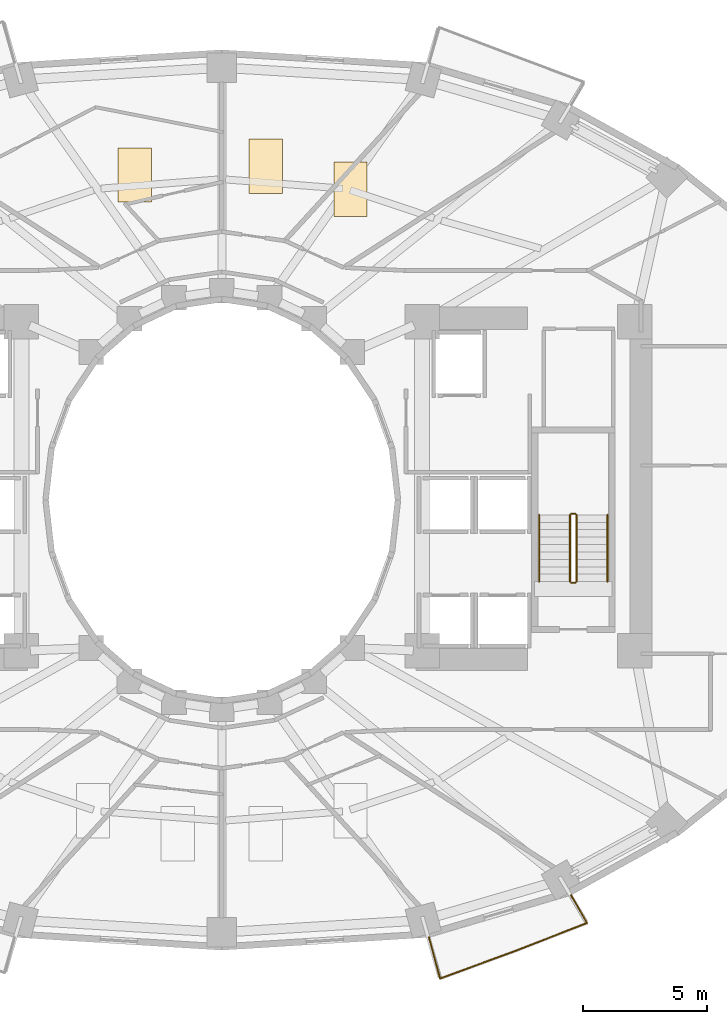
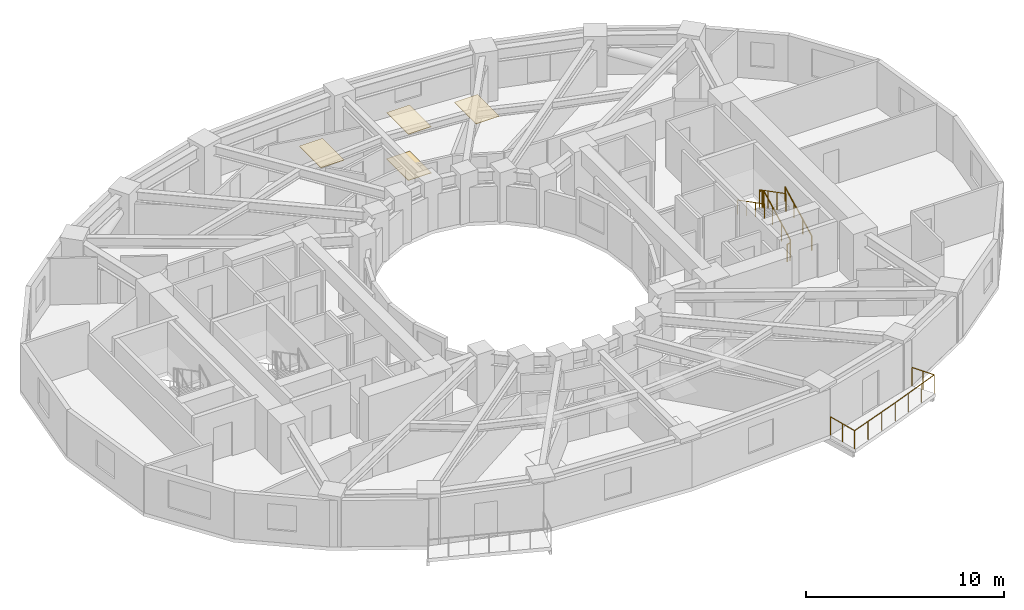
# One storey, part 10 of 11: 7 railings, 4 coverings.
"""IFC4 building model written with IfcOpenShell, lengths in metres."""

import ifcopenshell
import ifcopenshell.guid

model = None  # the IFC model being written
_history = None  # IfcOwnerHistory: only IFC2X3 demands one
_inside = {}  # id of a spatial element -> (the spatial element, [elements in it])
_under = {}  # id of a project, library or spatial element -> (it, [spatial elements below it])
_declared = {}  # id of a project -> (the project, [libraries it declares])
_typed = {}  # id of a type object -> (the type object, [elements of that type])
_made_of = {}  # id of a material, layer set ... -> (it, [elements and type objects made of it])


def new_model(schema):
    """Start an empty IFC model of exactly this schema.

    Asked for "IFC4X3", IfcOpenShell would pick the latest addendum, in which some entities
    have other attributes; the version numbers below select the first issue.
    IFC2X3 requires an IfcOwnerHistory on every rooted entity: one is made here for all.
    """
    global model, _history
    if schema == "IFC4X3":
        model = ifcopenshell.file(schema_version=(4, 3, 0, 0))
    else:
        model = ifcopenshell.file(schema=schema)
    _inside.clear()
    _under.clear()
    _declared.clear()
    _typed.clear()
    _made_of.clear()
    _history = None
    if model.schema == "IFC2X3":
        org = make("IfcOrganization", Name="unknown")
        user = make(
            "IfcPersonAndOrganization",
            ThePerson=make("IfcPerson", FamilyName="unknown"),
            TheOrganization=org,
        )
        app = make(
            "IfcApplication",
            ApplicationDeveloper=org,
            Version="unknown",
            ApplicationFullName="unknown",
            ApplicationIdentifier="unknown",
        )
        _history = make(
            "IfcOwnerHistory",
            OwningUser=user,
            OwningApplication=app,
            ChangeAction="ADDED",
            CreationDate=0,
        )
    return model


def make(cls, **values):
    """One entity of the class cls with the attributes given. An attribute that is None is left unset."""
    return model.create_entity(
        cls, **{name: value for name, value in values.items() if value is not None}
    )


def rooted(cls, **values):
    """An entity with a GlobalId (a new one), such as an element, a storey or a relation."""
    return make(cls, GlobalId=ifcopenshell.guid.new(), OwnerHistory=_history, **values)


def si_unit(unit_type, name, prefix=None):
    """IfcSIUnit, for example si_unit("LENGTHUNIT", "METRE", prefix="MILLI")."""
    return make("IfcSIUnit", UnitType=unit_type, Prefix=prefix, Name=name)


def assignment(units):
    """IfcUnitAssignment: the units of a project."""
    return None if units is None else make("IfcUnitAssignment", Units=units)


def point(xyz):
    """IfcCartesianPoint."""
    return None if xyz is None else make("IfcCartesianPoint", Coordinates=xyz)


def direction(xyz):
    """IfcDirection."""
    return None if xyz is None else make("IfcDirection", DirectionRatios=xyz)


def frame(location, z_axis=None, x_axis=None):
    """IfcAxis2Placement3D, a coordinate frame: its origin and axes. An axis left out is left unset."""
    return make(
        "IfcAxis2Placement3D",
        Location=point(location),
        Axis=direction(z_axis),
        RefDirection=direction(x_axis),
    )


def frame_2d(location, x_axis=None):
    """IfcAxis2Placement2D, a coordinate frame in the plane: its origin and x axis."""
    return make(
        "IfcAxis2Placement2D", Location=point(location), RefDirection=direction(x_axis)
    )


def origin():
    """The frame at (0, 0, 0) with its axes left unset."""
    return frame((0.0, 0.0, 0.0))


def origin_2d():
    """The frame at (0, 0) in the plane with its x axis left unset."""
    return frame_2d((0.0, 0.0))


def place(relative_to, where):
    """IfcLocalPlacement: puts the frame where relative to a parent placement (None: the world)."""
    return make(
        "IfcLocalPlacement", PlacementRelTo=relative_to, RelativePlacement=where
    )


def context(
    kind, dimensions, precision=None, world=None, true_north=None, identifier=None
):
    """IfcGeometricRepresentationContext, for example the 3D "Model" context."""
    return make(
        "IfcGeometricRepresentationContext",
        ContextIdentifier=identifier,
        ContextType=kind,
        CoordinateSpaceDimension=dimensions,
        Precision=precision,
        WorldCoordinateSystem=world,
        TrueNorth=true_north,
    )


def subcontext(parent, identifier, kind, view, scale=None):
    """IfcGeometricRepresentationSubContext, for example "Body" below "Model"."""
    return make(
        "IfcGeometricRepresentationSubContext",
        ContextIdentifier=identifier,
        ContextType=kind,
        ParentContext=parent,
        TargetScale=scale,
        TargetView=view,
    )


def project(units=None, contexts=None):
    """IfcProject with its units and contexts."""
    return rooted(
        "IfcProject",
        Name="project",
        RepresentationContexts=contexts,
        UnitsInContext=assignment(units),
    )


def spatial(cls, under=None, at=None, **own):
    """A site, building, storey or space (cls), placed at a placement, below another one or the project."""
    s = rooted(cls, ObjectPlacement=at, **own)
    if under is not None:
        _under.setdefault(under.id(), (under, []))[1].append(s)
    return s


def polyline(points):
    """IfcPolyline through the points."""
    return make("IfcPolyline", Points=[point(p) for p in points])


def profile(cls, at=None, kind="AREA", **sizes):
    """A parametric profile (cls). Its sizes go by their IFC names, for example OverallWidth=200.0."""
    return make(cls, ProfileType=kind, Position=at, **sizes)


def circle(**sizes):
    """IfcCircleProfileDef."""
    return profile("IfcCircleProfileDef", **sizes)


def outline(outer, holes=None, kind="AREA"):
    """IfcArbitraryClosedProfileDef: a profile drawn as a closed curve; with holes, ...WithVoids."""
    if holes is None:
        return make("IfcArbitraryClosedProfileDef", ProfileType=kind, OuterCurve=outer)
    return make(
        "IfcArbitraryProfileDefWithVoids",
        ProfileType=kind,
        OuterCurve=outer,
        InnerCurves=holes,
    )


def extrude(swept, where, along, depth):
    """IfcExtrudedAreaSolid: the profile swept, set in the frame where, extruded along a direction by depth."""
    return make(
        "IfcExtrudedAreaSolid",
        SweptArea=swept,
        Position=where,
        ExtrudedDirection=direction(along),
        Depth=depth,
    )


def shape(context_of_items, identifier, shape_type, items):
    """IfcShapeRepresentation: the items that make up one representation, for example the "Body"."""
    return make(
        "IfcShapeRepresentation",
        ContextOfItems=context_of_items,
        RepresentationIdentifier=identifier,
        RepresentationType=shape_type,
        Items=items,
    )


def material(Name=None, Category=None):
    """IfcMaterial."""
    return make("IfcMaterial", Name=Name, Category=Category)


def layer(
    of_material, thickness, ventilated=None, Name=None, Category=None, Priority=None
):
    """IfcMaterialLayer: one layer of a wall or slab, of a material (None: an air gap)."""
    return make(
        "IfcMaterialLayer",
        Material=of_material,
        LayerThickness=thickness,
        IsVentilated=ventilated,
        Name=Name,
        Category=Category,
        Priority=Priority,
    )


def layer_set(layers, Name=None):
    """IfcMaterialLayerSet."""
    return make("IfcMaterialLayerSet", MaterialLayers=layers, LayerSetName=Name)


def made_of(thing, what):
    """Note that an element or type object is made of a material, layer set ...; save() writes the relation."""
    if what is not None:
        _made_of.setdefault(what.id(), (what, []))[1].append(thing)
    return thing


def type_object(cls, material=None, **own):
    """A type object (cls), such as IfcWallType, which elements share."""
    return made_of(rooted(cls, **own), material)


def element(
    cls,
    number,
    at=None,
    inside=None,
    cuts=None,
    type_object=None,
    material=None,
    context=None,
    identifier="Body",
    shape_type=None,
    held_by="IfcProductDefinitionShape",
    body=None,
    shapes=None,
    **own,
):
    """One element of the class cls, such as IfcWall. Its Tag is "e" and its number.

    at: its placement. inside: the storey or other place that contains it. cuts: it is an
    opening in that element (IfcRelVoidsElement). A single representation is given by context,
    identifier, shape_type and body (its items); several are given by shapes. held_by: the class
    of the entity that holds the representations. save() writes the other relations.
    """
    e = rooted(cls, Tag="e%d" % number, ObjectPlacement=at, **own)
    if body is not None:
        shapes = [shape(context, identifier, shape_type, body)]
    if shapes is not None:
        e.Representation = make(held_by, Representations=shapes)
    if inside is not None:
        _inside.setdefault(inside.id(), (inside, []))[1].append(e)
    if cuts is not None:
        rooted(
            "IfcRelVoidsElement", RelatingBuildingElement=cuts, RelatedOpeningElement=e
        )
    if type_object is not None:
        _typed.setdefault(type_object.id(), (type_object, []))[1].append(e)
    return made_of(e, material)


def aggregate(whole, parts):
    """IfcRelAggregates: a whole, such as a stair, and the parts it consists of."""
    return rooted("IfcRelAggregates", RelatingObject=whole, RelatedObjects=parts)


def save(model, path):
    """Write the relations noted so far, then the file.

    IfcRelAggregates (storeys below a building ...), IfcRelContainedInSpatialStructure (elements
    in a storey), IfcRelDefinesByType, IfcRelAssociatesMaterial and IfcRelDeclares: one each for
    every whole, place, type object, material and project.
    """
    for whole, parts in _under.values():
        aggregate(whole, parts)
    for where, things in _inside.values():
        rooted(
            "IfcRelContainedInSpatialStructure",
            RelatedElements=things,
            RelatingStructure=where,
        )
    for kind, things in _typed.values():
        rooted("IfcRelDefinesByType", RelatedObjects=things, RelatingType=kind)
    for what, things in _made_of.values():
        rooted("IfcRelAssociatesMaterial", RelatedObjects=things, RelatingMaterial=what)
    for by, libraries in _declared.values():
        rooted("IfcRelDeclares", RelatingContext=by, RelatedDefinitions=libraries)
    model.write(path)


model = new_model("IFC4")

# Units and contexts
model_context = context("Model", 3, precision=1e-05, world=origin(), true_north=direction((0.0, 1.0)))
body_context = subcontext(model_context, "Body", "Model", "MODEL_VIEW")
ifc_project = project(units=[si_unit("LENGTHUNIT", "METRE"), si_unit("AREAUNIT", "SQUARE_METRE"), si_unit("VOLUMEUNIT", "CUBIC_METRE"), si_unit("PLANEANGLEUNIT", "RADIAN"), si_unit("MASSUNIT", "GRAM", prefix="KILO")], contexts=[model_context])

# Site, building, storey
site_placement = place(None, origin())
site = spatial("IfcSite", under=ifc_project, at=site_placement, CompositionType="ELEMENT")
building_placement = place(site_placement, origin())
building = spatial("IfcBuilding", under=site, at=building_placement, Name="Solvane Sanctuary Tower", CompositionType="ELEMENT")
storey_placement = place(building_placement, frame((0.0, 0.0, 49.300048828125)))
storey = spatial("IfcBuildingStorey", under=building, at=storey_placement, Name="L14", CompositionType="ELEMENT", Elevation=49.300048828125)

# Coverings
ifc_material_1 = material(Name="Acoustic Gypsum Partition Board")
ifc_layer_1 = layer(ifc_material_1, 0.02490234375, Name="Acoustic Gypsum Partition Board")
ifc_layer_set_1 = layer_set([ifc_layer_1], Name="Acoustic Gypsum Partition Board")
covering_type_1 = type_object("IfcCoveringType", Name="Covering CLG-ACOUST", PredefinedType="CEILING", material=ifc_layer_set_1)
covering_1_placement = place(storey_placement, frame((0.0, 0.0, 2.849853515625)))
element("IfcCovering", 1, at=covering_1_placement, inside=storey, type_object=covering_type_1, Name="L14 Unit Acoustic Ceiling Panel 1", PredefinedType="CEILING", context=body_context, shape_type="SweptSolid", body=[
    extrude(outline(polyline([(36.529052734375, 34.465087890625), (37.87890625, 34.465087890625), (37.87890625, 36.6650390625), (36.529052734375, 36.6650390625), (36.529052734375, 34.465087890625)])), origin(), (0.0, 0.0, 1.0), 0.030029296875),
])
covering_2_placement = place(storey_placement, frame((0.0, 0.0, 2.849853515625)))
element("IfcCovering", 2, at=covering_2_placement, inside=storey, type_object=covering_type_1, Name="L14 Unit Acoustic Ceiling Panel 2", PredefinedType="CEILING", context=body_context, shape_type="SweptSolid", body=[
    extrude(outline(polyline([(33.10009765625, 35.384033203125), (34.449951171875, 35.384033203125), (34.449951171875, 37.583984375), (33.10009765625, 37.583984375), (33.10009765625, 35.384033203125)])), origin(), (0.0, 0.0, 1.0), 0.030029296875),
])
covering_3_placement = place(storey_placement, frame((0.0, 0.0, 2.849853515625)))
element("IfcCovering", 3, at=covering_3_placement, inside=storey, type_object=covering_type_1, Name="L14 Unit Acoustic Ceiling Panel 3", PredefinedType="CEILING", context=body_context, shape_type="SweptSolid", body=[
    extrude(outline(polyline([(27.804931640625, 35.037109375), (29.155029296875, 35.037109375), (29.155029296875, 37.237060546875), (27.804931640625, 37.237060546875), (27.804931640625, 35.037109375)])), origin(), (0.0, 0.0, 1.0), 0.030029296875),
])
ifc_material_2 = material(Name="Ceramic Tile Finish")
ifc_layer_2 = layer(ifc_material_2, 0.030029296875, Name="Ceramic Tile Finish")
ifc_layer_set_2 = layer_set([ifc_layer_2], Name="Ceramic Tile Finish")
covering_type_2 = type_object("IfcCoveringType", Name="Covering FLR-TERRAZZO", PredefinedType="FLOORING", material=ifc_layer_set_2)
covering_4_placement = place(storey_placement, origin())
element("IfcCovering", 4, at=covering_4_placement, inside=storey, type_object=covering_type_2, Name="L14 Unit Terrazzo Inlay 2", PredefinedType="FLOORING", context=body_context, shape_type="SweptSolid", body=[
    extrude(outline(polyline([(33.10009765625, 35.384033203125), (34.449951171875, 35.384033203125), (34.449951171875, 37.583984375), (33.10009765625, 37.583984375), (33.10009765625, 35.384033203125)])), origin(), (0.0, 0.0, 1.0), 0.034912109375),
])

# Railings
ifc_material_3 = material(Name="Architectural Stainless Steel 316", Category="steel")
railing_type_1 = type_object("IfcRailingType", Name="Railing GR-BALC-1150", PredefinedType="BALUSTRADE", material=ifc_material_3)
railing_1_placement = place(storey_placement, frame((40.376708984375, 5.3193359375, 0.0)))
element("IfcRailing", 5, at=railing_1_placement, inside=storey, type_object=railing_type_1, Name="L14 Wave Balcony Balustrade S2", PredefinedType="BALUSTRADE", context=body_context, shape_type="SweptSolid", body=[
    extrude(circle(Radius=0.02392578125, at=origin_2d()), frame((0.0, 0.0, 1.1259765625), z_axis=(0.258825730822, -0.965924034831, 0.0), x_axis=(0.965924034831, 0.258825730822, 0.0)), (0.0, 0.0, 1.0), 1.724365234375),
    extrude(circle(Radius=0.02392578125, at=origin_2d()), frame((0.4462890625, -1.66552734375, 1.1259765625), z_axis=(0.938775355753, 0.344529870157, 0.0), x_axis=(-0.344529870157, 0.938775355753, 0.0)), (0.0, 0.0, 1.0), 3.205810546875),
    extrude(circle(Radius=0.02392578125, at=origin_2d()), frame((3.455810546875, -0.56103515625, 1.1259765625), z_axis=(0.931933339619, 0.362629632692, 0.0), x_axis=(-0.362629632692, 0.931933339619, 0.0)), (0.0, 0.0, 1.0), 3.148193359375),
    extrude(circle(Radius=0.02392578125, at=origin_2d()), frame((6.3896484375, 0.58056640625, 1.1259765625), z_axis=(-0.49996696679, 0.866044474677, 0.0), x_axis=(-0.866044474677, -0.49996696679, 0.0)), (0.0, 0.0, 1.0), 1.29638671875),
    extrude(circle(Radius=0.02099609375, at=origin_2d()), origin(), (0.0, 0.0, 1.0), 1.101806640625),
    extrude(circle(Radius=0.02099609375, at=origin_2d()), frame((0.22314453125, -0.832763671875, 0.0)), (0.0, 0.0, 1.0), 1.101806640625),
    extrude(circle(Radius=0.02099609375, at=origin_2d()), frame((0.4462890625, -1.66552734375, 0.0)), (0.0, 0.0, 1.0), 1.101806640625),
    extrude(circle(Radius=0.02099609375, at=origin_2d()), frame((1.449462890625, -1.29736328125, 0.0)), (0.0, 0.0, 1.0), 1.101806640625),
    extrude(circle(Radius=0.02099609375, at=origin_2d()), frame((2.45263671875, -0.92919921875, 0.0)), (0.0, 0.0, 1.0), 1.101806640625),
    extrude(circle(Radius=0.02099609375, at=origin_2d()), frame((3.455810546875, -0.56103515625, 0.0)), (0.0, 0.0, 1.0), 1.101806640625),
    extrude(circle(Radius=0.02099609375, at=origin_2d()), frame((4.433837890625, -0.180419921875, 0.0)), (0.0, 0.0, 1.0), 1.101806640625),
    extrude(circle(Radius=0.02099609375, at=origin_2d()), frame((5.41162109375, 0.199951171875, 0.0)), (0.0, 0.0, 1.0), 1.101806640625),
    extrude(circle(Radius=0.02099609375, at=origin_2d()), frame((6.3896484375, 0.58056640625, 0.0)), (0.0, 0.0, 1.0), 1.101806640625),
    extrude(circle(Radius=0.02099609375, at=origin_2d()), frame((6.0654296875, 1.14208984375, 0.0)), (0.0, 0.0, 1.0), 1.101806640625),
    extrude(circle(Radius=0.02099609375, at=origin_2d()), frame((5.741455078125, 1.703369140625, 0.0)), (0.0, 0.0, 1.0), 1.101806640625),
])
railing_2_placement = place(storey_placement, frame((46.340087890625, 19.699951171875, 0.155029296875)))
element("IfcRailing", 6, at=railing_2_placement, inside=storey, type_object=railing_type_1, Name="L14 ST-2 stair guard 1", PredefinedType="BALUSTRADE", context=body_context, shape_type="SweptSolid", body=[
    extrude(circle(Radius=0.02392578125, at=origin_2d()), frame((0.0, 0.0, 1.076171875), z_axis=(0.0, 0.888419900624, 0.459031676658), x_axis=(-1.0, 0.0, 0.0)), (0.0, 0.0, 1.0), 3.0390625),
    extrude(circle(Radius=0.02099609375, at=origin_2d()), origin(), (0.0, 0.0, 1.0), 1.052001953125),
    extrude(circle(Radius=0.02099609375, at=origin_2d()), frame((0.0, 0.89990234375, 0.465087890625)), (0.0, 0.0, 1.0), 1.052001953125),
    extrude(circle(Radius=0.02099609375, at=origin_2d()), frame((0.0, 1.800048828125, 0.929931640625)), (0.0, 0.0, 1.0), 1.052001953125),
    extrude(circle(Radius=0.02099609375, at=origin_2d()), frame((0.0, 2.699951171875, 1.39501953125)), (0.0, 0.0, 1.0), 1.052001953125),
])
railing_3_placement = place(storey_placement, frame((46.2900390625, 22.449951171875, 1.550048828125)))
element("IfcRailing", 7, at=railing_3_placement, inside=storey, type_object=railing_type_1, Name="L14 ST-2 stair guard 2", PredefinedType="BALUSTRADE", context=body_context, shape_type="SweptSolid", body=[
    extrude(circle(Radius=0.02392578125, at=origin_2d()), frame((0.0, 0.0, 1.076171875), z_axis=(-1.0, 0.0, 0.0), x_axis=(0.0, -1.0, 0.0)), (0.0, 0.0, 1.0), 0.16015625),
    extrude(circle(Radius=0.02099609375, at=origin_2d()), origin(), (0.0, 0.0, 1.0), 1.052001953125),
    extrude(circle(Radius=0.02099609375, at=origin_2d()), frame((-0.16015625, 0.0, 0.0)), (0.0, 0.0, 1.0), 1.052001953125),
])
railing_4_placement = place(storey_placement, frame((46.080078125, 22.39990234375, 1.704833984375)))
element("IfcRailing", 8, at=railing_4_placement, inside=storey, type_object=railing_type_1, Name="L14 ST-2 stair guard 3", PredefinedType="BALUSTRADE", context=body_context, shape_type="SweptSolid", body=[
    extrude(circle(Radius=0.02392578125, at=origin_2d()), frame((0.0, 0.0, 1.076171875), z_axis=(0.0, -0.888419900624, 0.459031676658), x_axis=(1.0, 0.0, 0.0)), (0.0, 0.0, 1.0), 3.0390625),
    extrude(circle(Radius=0.02099609375, at=origin_2d()), origin(), (0.0, 0.0, 1.0), 1.052001953125),
    extrude(circle(Radius=0.02099609375, at=origin_2d()), frame((0.0, -0.89990234375, 0.465087890625)), (0.0, 0.0, 1.0), 1.052001953125),
    extrude(circle(Radius=0.02099609375, at=origin_2d()), frame((0.0, -1.800048828125, 0.929931640625)), (0.0, 0.0, 1.0), 1.052001953125),
    extrude(circle(Radius=0.02099609375, at=origin_2d()), frame((0.0, -2.699951171875, 1.39501953125)), (0.0, 0.0, 1.0), 1.052001953125),
])
railing_5_placement = place(storey_placement, frame((46.2900390625, 19.64990234375, 0.0)))
element("IfcRailing", 9, at=railing_5_placement, inside=storey, type_object=railing_type_1, Name="L14 ST-2 stair guard 4", PredefinedType="BALUSTRADE", context=body_context, shape_type="SweptSolid", body=[
    extrude(circle(Radius=0.02392578125, at=origin_2d()), frame((0.0, 0.0, 1.076171875), z_axis=(-1.0, 0.0, 0.0), x_axis=(0.0, -1.0, 0.0)), (0.0, 0.0, 1.0), 0.16015625),
    extrude(circle(Radius=0.02099609375, at=origin_2d()), origin(), (0.0, 0.0, 1.0), 1.052001953125),
    extrude(circle(Radius=0.02099609375, at=origin_2d()), frame((-0.16015625, 0.0, 0.0)), (0.0, 0.0, 1.0), 1.052001953125),
])
railing_type_2 = type_object("IfcRailingType", Name="Railing HR-STAIR-920", PredefinedType="HANDRAIL", material=ifc_material_3)
railing_6_placement = place(storey_placement, frame((47.590087890625, 19.699951171875, 0.155029296875)))
element("IfcRailing", 10, at=railing_6_placement, inside=storey, type_object=railing_type_2, Name="L14 ST-2 stair handrail 1", PredefinedType="HANDRAIL", context=body_context, shape_type="SweptSolid", body=[
    extrude(circle(Radius=0.02392578125, at=origin_2d()), frame((0.0, 0.0, 0.8759765625), z_axis=(0.0, 0.888419900624, 0.459031676658), x_axis=(-1.0, 0.0, 0.0)), (0.0, 0.0, 1.0), 3.0390625),
    extrude(circle(Radius=0.02099609375, at=origin_2d()), origin(), (0.0, 0.0, 1.0), 0.851806640625),
    extrude(circle(Radius=0.02099609375, at=origin_2d()), frame((0.0, 0.89990234375, 0.465087890625)), (0.0, 0.0, 1.0), 0.851806640625),
    extrude(circle(Radius=0.02099609375, at=origin_2d()), frame((0.0, 1.800048828125, 0.929931640625)), (0.0, 0.0, 1.0), 0.851806640625),
    extrude(circle(Radius=0.02099609375, at=origin_2d()), frame((0.0, 2.699951171875, 1.39501953125)), (0.0, 0.0, 1.0), 0.851806640625),
])
railing_7_placement = place(storey_placement, frame((44.830078125, 22.39990234375, 1.704833984375)))
element("IfcRailing", 11, at=railing_7_placement, inside=storey, type_object=railing_type_2, Name="L14 ST-2 stair handrail 2", PredefinedType="HANDRAIL", context=body_context, shape_type="SweptSolid", body=[
    extrude(circle(Radius=0.02392578125, at=origin_2d()), frame((0.0, 0.0, 0.8759765625), z_axis=(0.0, -0.888419900624, 0.459031676658), x_axis=(1.0, 0.0, 0.0)), (0.0, 0.0, 1.0), 3.0390625),
    extrude(circle(Radius=0.02099609375, at=origin_2d()), origin(), (0.0, 0.0, 1.0), 0.851806640625),
    extrude(circle(Radius=0.02099609375, at=origin_2d()), frame((0.0, -0.89990234375, 0.465087890625)), (0.0, 0.0, 1.0), 0.851806640625),
    extrude(circle(Radius=0.02099609375, at=origin_2d()), frame((0.0, -1.800048828125, 0.929931640625)), (0.0, 0.0, 1.0), 0.851806640625),
    extrude(circle(Radius=0.02099609375, at=origin_2d()), frame((0.0, -2.699951171875, 1.39501953125)), (0.0, 0.0, 1.0), 0.851806640625),
])

save(model, "model.ifc")
